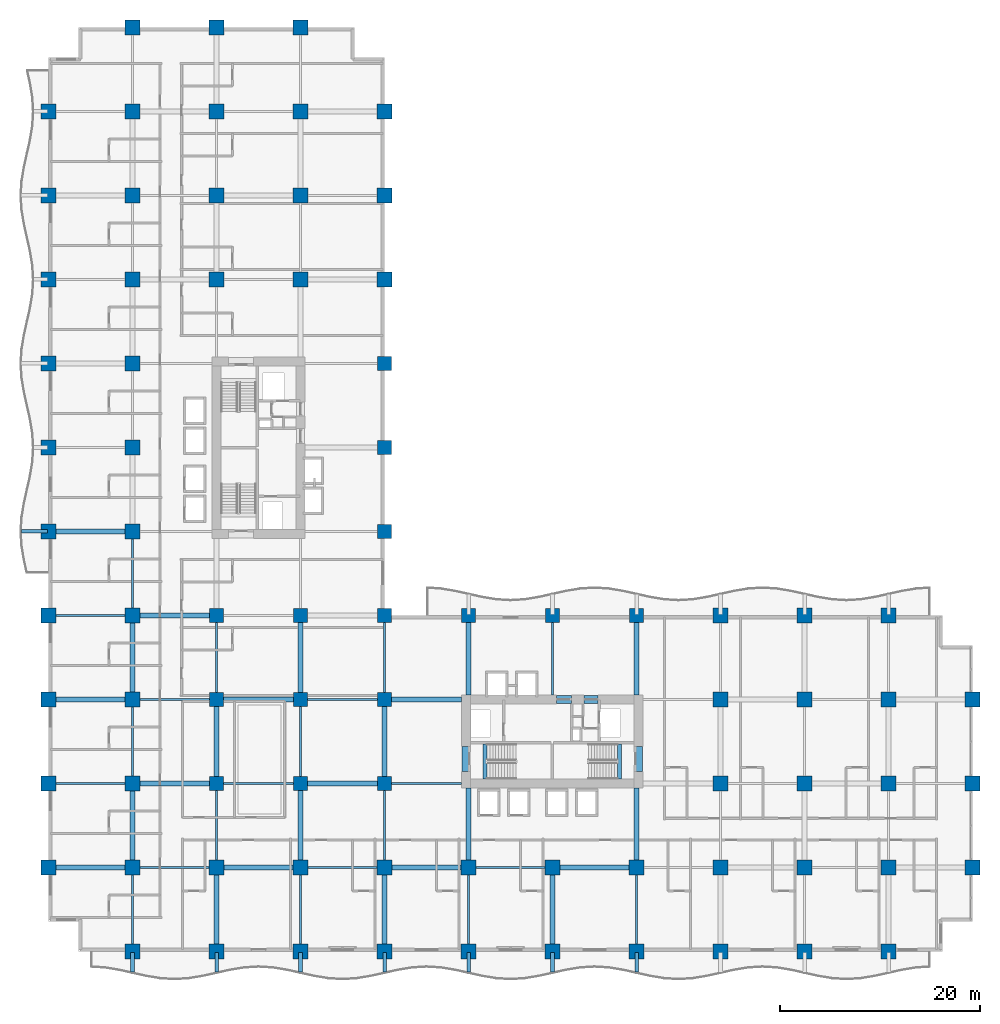
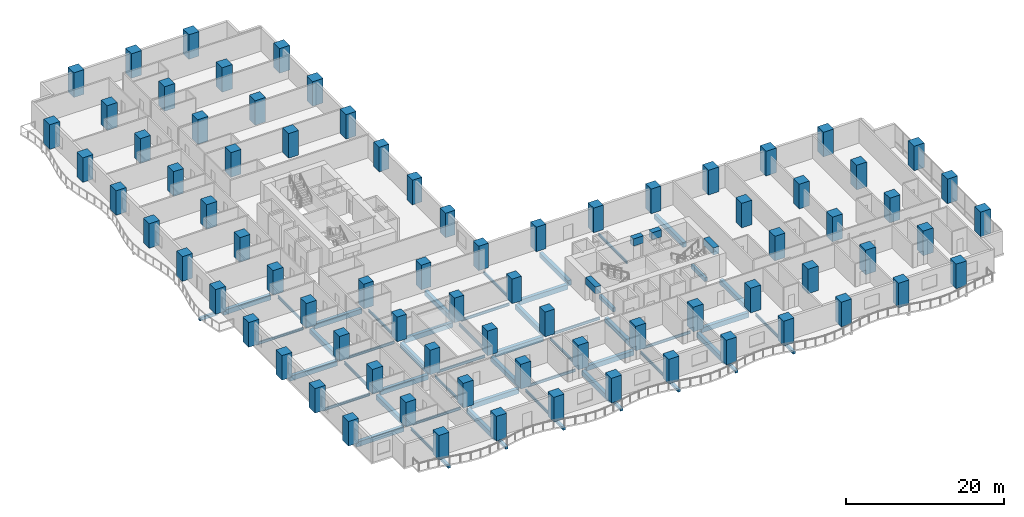
# One storey, part 1 of 26: 78 columns, 59 beams.
"""IFC4 building model written with IfcOpenShell, lengths in metres."""

from ifc_helpers import new_model, si_unit, direction, frame, origin, origin_2d, place, context, subcontext, project, spatial, rectangle, i_section, extrude, material, material_profile, profile_set, type_object, element, save


model = new_model("IFC4")

# Units and contexts
model_context = context("Model", 3, precision=1e-05, world=origin(), true_north=direction((0.0, 1.0)))
body_context = subcontext(model_context, "Body", "Model", "MODEL_VIEW")
ifc_project = project(units=[si_unit("LENGTHUNIT", "METRE"), si_unit("AREAUNIT", "SQUARE_METRE"), si_unit("VOLUMEUNIT", "CUBIC_METRE"), si_unit("PLANEANGLEUNIT", "RADIAN"), si_unit("MASSUNIT", "GRAM", prefix="KILO")], contexts=[model_context])

# Site, building, storey
site_placement = place(None, origin())
site = spatial("IfcSite", under=ifc_project, at=site_placement, CompositionType="ELEMENT")
building_placement = place(site_placement, origin())
building = spatial("IfcBuilding", under=site, at=building_placement, Name="Koriwani Terraces Tower", CompositionType="ELEMENT")
storey_placement = place(building_placement, frame((0.0, 0.0, 39.60009765625)))
storey = spatial("IfcBuildingStorey", under=building, at=storey_placement, Name="L08", CompositionType="ELEMENT", Elevation=39.60009765625)

# Columns
ifc_material_1 = material(Name="Concrete C60/75", Category="concrete")
ifc_material_profile_1 = material_profile(ifc_material_1, rectangle(XDim=1.39990234375, YDim=1.39990234375, at=origin_2d()), Name="Concrete C60/75", Category="LoadBearing")
ifc_profile_set_1 = profile_set([ifc_material_profile_1], Name="Concrete C60/75")
column_type_1 = type_object("IfcColumnType", Name="COL_RC_1400X1400", PredefinedType="COLUMN", material=ifc_profile_set_1)
for number, where, z_axis, x_axis, name in (
    (1, (16.800048828125, 16.800048828125, 0.0), (0.0, 0.0, 1.0), (1.0, 0.0, 0.0), "L08 Column 3/C"),
    (2, (16.800048828125, 25.199951171875, 0.0), (0.0, 0.0, 1.0), (1.0, 0.0, 0.0), "L08 Column 3/D"),
    (3, (16.800048828125, 33.60009765625, 0.0), (0.0, 0.0, 1.0), (1.0, 0.0, 0.0), "L08 Column 3/E"),
    (4, (25.199951171875, 16.800048828125, 0.0), (0.0, 0.0, 1.0), (1.0, 0.0, 0.0), "L08 Column 4/C"),
    (5, (25.199951171875, 25.199951171875, 0.0), (0.0, 0.0, 1.0), (1.0, 0.0, 0.0), "L08 Column 4/D"),
    (6, (25.199951171875, 33.60009765625, 0.0), (0.0, 0.0, 1.0), (1.0, 0.0, 0.0), "L08 Column 4/E"),
    (7, (33.60009765625, 16.800048828125, 0.0), (0.0, 0.0, 1.0), (1.0, 0.0, 0.0), "L08 Column 5/C"),
    (8, (33.60009765625, 25.199951171875, 0.0), (0.0, 0.0, 1.0), (1.0, 0.0, 0.0), "L08 Column 5/D"),
    (9, (33.60009765625, 33.60009765625, 0.0), (0.0, 0.0, 1.0), (1.0, 0.0, 0.0), "L08 Column 5/E"),
    (10, (33.60009765625, 42.0, 0.0), (0.0, 0.0, 1.0), (1.0, 0.0, 0.0), "L08 Column 5/F"),
    (11, (33.60009765625, 50.39990234375, 0.0), (0.0, 0.0, 1.0), (1.0, 0.0, 0.0), "L08 Column 5/G"),
    (12, (33.60009765625, 58.800048828125, 0.0), (0.0, 0.0, 1.0), (1.0, 0.0, 0.0), "L08 Column 5/H"),
    (13, (42.0, 33.60009765625, 0.0), (0.0, 0.0, 1.0), (1.0, 0.0, 0.0), "L08 Column 6/E"),
    (14, (50.39990234375, 33.60009765625, 0.0), (0.0, 0.0, 1.0), (1.0, 0.0, 0.0), "L08 Column 7/E"),
    (15, (58.800048828125, 33.60009765625, 0.0), (0.0, 0.0, 1.0), (1.0, 0.0, 0.0), "L08 Column 8/E"),
):
    element("IfcColumn", number, at=place(storey_placement, frame(where, z_axis=z_axis, x_axis=x_axis)), inside=storey, type_object=column_type_1, Name=name, PredefinedType="COLUMN", context=body_context, shape_type="SweptSolid", body=[
        extrude(rectangle(XDim=1.39990234375, YDim=1.39990234375, at=origin_2d()), origin(), (0.0, 0.0, 1.0), 3.7998046875),
    ])
ifc_material_profile_2 = material_profile(ifc_material_1, rectangle(XDim=1.5, YDim=1.5, at=origin_2d()), Name="Concrete C60/75", Category="LoadBearing")
ifc_profile_set_2 = profile_set([ifc_material_profile_2], Name="Concrete C60/75")
column_type_2 = type_object("IfcColumnType", Name="COL_RC_1500X1500", PredefinedType="COLUMN", material=ifc_profile_set_2)
for number, where, z_axis, x_axis, name in (
    (16, (0.0, 8.39990234375, 0.0), (0.0, 0.0, 1.0), (1.0, 0.0, 0.0), "L08 Column 1/B"),
    (17, (0.0, 16.800048828125, 0.0), (0.0, 0.0, 1.0), (1.0, 0.0, 0.0), "L08 Column 1/C"),
    (18, (0.0, 25.199951171875, 0.0), (0.0, 0.0, 1.0), (1.0, 0.0, 0.0), "L08 Column 1/D"),
    (19, (0.0, 33.60009765625, 0.0), (0.0, 0.0, 1.0), (1.0, 0.0, 0.0), "L08 Column 1/E"),
    (20, (0.0, 42.0, 0.0), (0.0, 0.0, 1.0), (1.0, 0.0, 0.0), "L08 Column 1/F"),
    (21, (0.0, 50.39990234375, 0.0), (0.0, 0.0, 1.0), (1.0, 0.0, 0.0), "L08 Column 1/G"),
    (22, (0.0, 58.800048828125, 0.0), (0.0, 0.0, 1.0), (1.0, 0.0, 0.0), "L08 Column 1/H"),
    (23, (0.0, 67.199951171875, 0.0), (0.0, 0.0, 1.0), (1.0, 0.0, 0.0), "L08 Column 1/I"),
    (24, (0.0, 75.60009765625, 0.0), (0.0, 0.0, 1.0), (1.0, 0.0, 0.0), "L08 Column 1/J"),
    (25, (0.0, 84.0, 0.0), (0.0, 0.0, 1.0), (1.0, 0.0, 0.0), "L08 Column 1/K"),
    (26, (8.39990234375, 0.0, 0.0), (0.0, 0.0, 1.0), (1.0, 0.0, 0.0), "L08 Column 2/A"),
    (27, (8.39990234375, 8.39990234375, 0.0), (0.0, 0.0, 1.0), (1.0, 0.0, 0.0), "L08 Column 2/B"),
    (28, (8.39990234375, 16.800048828125, 0.0), (0.0, 0.0, 1.0), (1.0, 0.0, 0.0), "L08 Column 2/C"),
    (29, (8.39990234375, 25.199951171875, 0.0), (0.0, 0.0, 1.0), (1.0, 0.0, 0.0), "L08 Column 2/D"),
    (30, (8.39990234375, 33.60009765625, 0.0), (0.0, 0.0, 1.0), (1.0, 0.0, 0.0), "L08 Column 2/E"),
    (31, (8.39990234375, 42.0, 0.0), (0.0, 0.0, 1.0), (1.0, 0.0, 0.0), "L08 Column 2/F"),
    (32, (8.39990234375, 50.39990234375, 0.0), (0.0, 0.0, 1.0), (1.0, 0.0, 0.0), "L08 Column 2/G"),
    (33, (8.39990234375, 58.800048828125, 0.0), (0.0, 0.0, 1.0), (1.0, 0.0, 0.0), "L08 Column 2/H"),
    (34, (8.39990234375, 67.199951171875, 0.0), (0.0, 0.0, 1.0), (1.0, 0.0, 0.0), "L08 Column 2/I"),
    (35, (8.39990234375, 75.60009765625, 0.0), (0.0, 0.0, 1.0), (1.0, 0.0, 0.0), "L08 Column 2/J"),
    (36, (8.39990234375, 84.0, 0.0), (0.0, 0.0, 1.0), (1.0, 0.0, 0.0), "L08 Column 2/K"),
    (37, (8.39990234375, 92.39990234375, 0.0), (0.0, 0.0, 1.0), (1.0, 0.0, 0.0), "L08 Column 2/L"),
    (38, (16.800048828125, 0.0, 0.0), (0.0, 0.0, 1.0), (1.0, 0.0, 0.0), "L08 Column 3/A"),
    (39, (16.800048828125, 8.39990234375, 0.0), (0.0, 0.0, 1.0), (1.0, 0.0, 0.0), "L08 Column 3/B"),
    (40, (16.800048828125, 67.199951171875, 0.0), (0.0, 0.0, 1.0), (1.0, 0.0, 0.0), "L08 Column 3/I"),
    (41, (16.800048828125, 75.60009765625, 0.0), (0.0, 0.0, 1.0), (1.0, 0.0, 0.0), "L08 Column 3/J"),
    (42, (16.800048828125, 84.0, 0.0), (0.0, 0.0, 1.0), (1.0, 0.0, 0.0), "L08 Column 3/K"),
    (43, (16.800048828125, 92.39990234375, 0.0), (0.0, 0.0, 1.0), (1.0, 0.0, 0.0), "L08 Column 3/L"),
    (44, (25.199951171875, 0.0, 0.0), (0.0, 0.0, 1.0), (1.0, 0.0, 0.0), "L08 Column 4/A"),
    (45, (25.199951171875, 8.39990234375, 0.0), (0.0, 0.0, 1.0), (1.0, 0.0, 0.0), "L08 Column 4/B"),
    (46, (25.199951171875, 67.199951171875, 0.0), (0.0, 0.0, 1.0), (1.0, 0.0, 0.0), "L08 Column 4/I"),
    (47, (25.199951171875, 75.60009765625, 0.0), (0.0, 0.0, 1.0), (1.0, 0.0, 0.0), "L08 Column 4/J"),
    (48, (25.199951171875, 84.0, 0.0), (0.0, 0.0, 1.0), (1.0, 0.0, 0.0), "L08 Column 4/K"),
    (49, (25.199951171875, 92.39990234375, 0.0), (0.0, 0.0, 1.0), (1.0, 0.0, 0.0), "L08 Column 4/L"),
    (50, (33.60009765625, 0.0, 0.0), (0.0, 0.0, 1.0), (1.0, 0.0, 0.0), "L08 Column 5/A"),
    (51, (33.60009765625, 8.39990234375, 0.0), (0.0, 0.0, 1.0), (1.0, 0.0, 0.0), "L08 Column 5/B"),
    (52, (33.60009765625, 67.199951171875, 0.0), (0.0, 0.0, 1.0), (1.0, 0.0, 0.0), "L08 Column 5/I"),
    (53, (33.60009765625, 75.60009765625, 0.0), (0.0, 0.0, 1.0), (1.0, 0.0, 0.0), "L08 Column 5/J"),
    (54, (33.60009765625, 84.0, 0.0), (0.0, 0.0, 1.0), (1.0, 0.0, 0.0), "L08 Column 5/K"),
    (55, (42.0, 0.0, 0.0), (0.0, 0.0, 1.0), (1.0, 0.0, 0.0), "L08 Column 6/A"),
    (56, (42.0, 8.39990234375, 0.0), (0.0, 0.0, 1.0), (1.0, 0.0, 0.0), "L08 Column 6/B"),
    (57, (50.39990234375, 0.0, 0.0), (0.0, 0.0, 1.0), (1.0, 0.0, 0.0), "L08 Column 7/A"),
    (58, (50.39990234375, 8.39990234375, 0.0), (0.0, 0.0, 1.0), (1.0, 0.0, 0.0), "L08 Column 7/B"),
    (59, (58.800048828125, 0.0, 0.0), (0.0, 0.0, 1.0), (1.0, 0.0, 0.0), "L08 Column 8/A"),
    (60, (58.800048828125, 8.39990234375, 0.0), (0.0, 0.0, 1.0), (1.0, 0.0, 0.0), "L08 Column 8/B"),
    (61, (67.199951171875, 0.0, 0.0), (0.0, 0.0, 1.0), (1.0, 0.0, 0.0), "L08 Column 9/A"),
    (62, (67.199951171875, 8.39990234375, 0.0), (0.0, 0.0, 1.0), (1.0, 0.0, 0.0), "L08 Column 9/B"),
    (63, (67.199951171875, 16.800048828125, 0.0), (0.0, 0.0, 1.0), (1.0, 0.0, 0.0), "L08 Column 9/C"),
    (64, (67.199951171875, 25.199951171875, 0.0), (0.0, 0.0, 1.0), (1.0, 0.0, 0.0), "L08 Column 9/D"),
    (65, (67.199951171875, 33.60009765625, 0.0), (0.0, 0.0, 1.0), (1.0, 0.0, 0.0), "L08 Column 9/E"),
    (66, (75.60009765625, 0.0, 0.0), (0.0, 0.0, 1.0), (1.0, 0.0, 0.0), "L08 Column 10/A"),
    (67, (75.60009765625, 8.39990234375, 0.0), (0.0, 0.0, 1.0), (1.0, 0.0, 0.0), "L08 Column 10/B"),
    (68, (75.60009765625, 16.800048828125, 0.0), (0.0, 0.0, 1.0), (1.0, 0.0, 0.0), "L08 Column 10/C"),
    (69, (75.60009765625, 25.199951171875, 0.0), (0.0, 0.0, 1.0), (1.0, 0.0, 0.0), "L08 Column 10/D"),
    (70, (75.60009765625, 33.60009765625, 0.0), (0.0, 0.0, 1.0), (1.0, 0.0, 0.0), "L08 Column 10/E"),
    (71, (84.0, 0.0, 0.0), (0.0, 0.0, 1.0), (1.0, 0.0, 0.0), "L08 Column 11/A"),
    (72, (84.0, 8.39990234375, 0.0), (0.0, 0.0, 1.0), (1.0, 0.0, 0.0), "L08 Column 11/B"),
    (73, (84.0, 16.800048828125, 0.0), (0.0, 0.0, 1.0), (1.0, 0.0, 0.0), "L08 Column 11/C"),
    (74, (84.0, 25.199951171875, 0.0), (0.0, 0.0, 1.0), (1.0, 0.0, 0.0), "L08 Column 11/D"),
    (75, (84.0, 33.60009765625, 0.0), (0.0, 0.0, 1.0), (1.0, 0.0, 0.0), "L08 Column 11/E"),
    (76, (92.39990234375, 8.39990234375, 0.0), (0.0, 0.0, 1.0), (1.0, 0.0, 0.0), "L08 Column 12/B"),
    (77, (92.39990234375, 16.800048828125, 0.0), (0.0, 0.0, 1.0), (1.0, 0.0, 0.0), "L08 Column 12/C"),
    (78, (92.39990234375, 25.199951171875, 0.0), (0.0, 0.0, 1.0), (1.0, 0.0, 0.0), "L08 Column 12/D"),
):
    element("IfcColumn", number, at=place(storey_placement, frame(where, z_axis=z_axis, x_axis=x_axis)), inside=storey, type_object=column_type_2, Name=name, PredefinedType="COLUMN", context=body_context, shape_type="SweptSolid", body=[
        extrude(rectangle(XDim=1.5, YDim=1.5, at=origin_2d()), origin(), (0.0, 0.0, 1.0), 3.7998046875),
    ])

# Beams
ifc_material_2 = material(Name="Concrete C40/50", Category="concrete")
ifc_material_profile_3 = material_profile(ifc_material_2, rectangle(XDim=0.35009765625, YDim=0.449951171875, at=origin_2d()), Name="Concrete C40/50", Category="LoadBearing")
ifc_profile_set_3 = profile_set([ifc_material_profile_3], Name="Concrete C40/50")
beam_type_1 = type_object("IfcBeamType", Name="BEAM_RC_BALCONY_RIB_350X450", PredefinedType="JOIST", material=ifc_profile_set_3)
for number, where, z_axis, x_axis, name in (
    (79, (8.39990234375, -2.074951171875, -0.47509765625), (0.0, 1.0, 0.0), (-1.0, 0.0, 0.0), "L08 Balcony Bracket Rib S-1"),
    (80, (16.800048828125, -2.074951171875, -0.47509765625), (0.0, 1.0, 0.0), (-1.0, 0.0, 0.0), "L08 Balcony Bracket Rib S-2"),
    (81, (25.199951171875, -2.074951171875, -0.47509765625), (0.0, 1.0, 0.0), (-1.0, 0.0, 0.0), "L08 Balcony Bracket Rib S-3"),
    (82, (33.60009765625, -2.074951171875, -0.47509765625), (0.0, 1.0, 0.0), (-1.0, 0.0, 0.0), "L08 Balcony Bracket Rib S-4"),
    (83, (42.0, -2.074951171875, -0.47509765625), (0.0, 1.0, 0.0), (-1.0, 0.0, 0.0), "L08 Balcony Bracket Rib S-5"),
    (84, (50.39990234375, -2.074951171875, -0.47509765625), (0.0, 1.0, 0.0), (-1.0, 0.0, 0.0), "L08 Balcony Bracket Rib S-6"),
    (85, (58.800048828125, -2.074951171875, -0.47509765625), (0.0, 1.0, 0.0), (-1.0, 0.0, 0.0), "L08 Balcony Bracket Rib S-7"),
):
    element("IfcBeam", number, at=place(storey_placement, frame(where, z_axis=z_axis, x_axis=x_axis)), inside=storey, type_object=beam_type_1, Name=name, PredefinedType="JOIST", context=body_context, shape_type="SweptSolid", body=[
        extrude(rectangle(XDim=0.35009765625, YDim=0.449951171875, at=origin_2d()), origin(), (0.0, 0.0, 1.0), 1.974853515625),
    ])
beam_1_placement = place(storey_placement, frame((-2.699951171875, 42.0, -0.47509765625), z_axis=(1.0, 0.0, 0.0), x_axis=(0.0, 1.0, 0.0)))
element("IfcBeam", 86, at=beam_1_placement, inside=storey, type_object=beam_type_1, Name="L08 Balcony Bracket Rib W-1", PredefinedType="JOIST", context=body_context, shape_type="SweptSolid", body=[
    extrude(rectangle(XDim=0.35009765625, YDim=0.449951171875, at=origin_2d()), origin(), (0.0, 0.0, 1.0), 2.599853515625),
])
ifc_material_profile_4 = material_profile(ifc_material_1, rectangle(XDim=0.800048828125, YDim=1.10009765625, at=origin_2d()), Name="Concrete C60/75", Category="LoadBearing")
ifc_profile_set_4 = profile_set([ifc_material_profile_4], Name="Concrete C60/75")
beam_type_2 = type_object("IfcBeamType", Name="BEAM_RC_COUPLING_800X1100", PredefinedType="LINTEL", material=ifc_profile_set_4)
beam_2_placement = place(storey_placement, frame((50.800048828125, 25.199951171875, 3.0), z_axis=(1.0, 0.0, 0.0), x_axis=(0.0, 1.0, 0.0)))
element("IfcBeam", 87, at=beam_2_placement, inside=storey, type_object=beam_type_2, Name="L08 Core Coupling Lintel Beam EN1", PredefinedType="LINTEL", context=body_context, shape_type="SweptSolid", body=[
    extrude(rectangle(XDim=0.800048828125, YDim=1.10009765625, at=origin_2d()), origin(), (0.0, 0.0, 1.0), 1.47998046875),
])
beam_3_placement = place(storey_placement, frame((53.550048828125, 25.199951171875, 3.0), z_axis=(1.0, 0.0, 0.0), x_axis=(0.0, 1.0, 0.0)))
element("IfcBeam", 88, at=beam_3_placement, inside=storey, type_object=beam_type_2, Name="L08 Core Coupling Lintel Beam EN2", PredefinedType="LINTEL", context=body_context, shape_type="SweptSolid", body=[
    extrude(rectangle(XDim=0.800048828125, YDim=1.10009765625, at=origin_2d()), origin(), (0.0, 0.0, 1.0), 1.39990234375),
])
for number, where, z_axis, x_axis, name in (
    (89, (41.75, 18.0, 3.0), (0.0, 1.0, 0.0), (-1.0, 0.0, 0.0), "L08 Core Coupling Lintel Beam EW"),
    (90, (59.0, 18.0, 3.0), (0.0, 1.0, 0.0), (-1.0, 0.0, 0.0), "L08 Core Coupling Lintel Beam EE"),
):
    element("IfcBeam", number, at=place(storey_placement, frame(where, z_axis=z_axis, x_axis=x_axis)), inside=storey, type_object=beam_type_2, Name=name, PredefinedType="LINTEL", context=body_context, shape_type="SweptSolid", body=[
        extrude(rectangle(XDim=0.800048828125, YDim=1.10009765625, at=origin_2d()), origin(), (0.0, 0.0, 1.0), 2.5),
    ])
ifc_material_profile_5 = material_profile(ifc_material_2, rectangle(XDim=0.39990234375, YDim=0.60009765625, at=origin_2d()), Name="Concrete C40/50", Category="LoadBearing")
ifc_profile_set_5 = profile_set([ifc_material_profile_5], Name="Concrete C40/50")
beam_type_3 = type_object("IfcBeamType", Name="BEAM_RC_GRID_400X600", PredefinedType="BEAM", material=ifc_profile_set_5)
for number, where, z_axis, x_axis, name in (
    (91, (43.655029296875, 17.25, -0.300048828125), (0.0, 1.0, 0.0), (-1.0, 0.0, 0.0), "L08 Stairwell Header Trimmer Beam ST-E1"),
    (92, (57.094970703125, 17.25, -0.300048828125), (0.0, 1.0, 0.0), (-1.0, 0.0, 0.0), "L08 Stairwell Header Trimmer Beam ST-E2"),
):
    element("IfcBeam", number, at=place(storey_placement, frame(where, z_axis=z_axis, x_axis=x_axis)), inside=storey, type_object=beam_type_3, Name=name, PredefinedType="BEAM", context=body_context, shape_type="SweptSolid", body=[
        extrude(rectangle(XDim=0.39990234375, YDim=0.60009765625, at=origin_2d()), origin(), (0.0, 0.0, 1.0), 3.5),
    ])
ifc_material_3 = material(Name="Concrete C50/60", Category="concrete")
ifc_material_profile_6 = material_profile(ifc_material_3, rectangle(XDim=0.5, YDim=0.75, at=origin_2d()), Name="Concrete C50/60", Category="LoadBearing")
ifc_profile_set_6 = profile_set([ifc_material_profile_6], Name="Concrete C50/60")
beam_type_4 = type_object("IfcBeamType", Name="BEAM_RC_GRID_500X750", PredefinedType="BEAM", material=ifc_profile_set_6)
for number, where, z_axis, x_axis, name in (
    (93, (0.72998046875, 8.39990234375, -0.625), (1.0, 0.0, 0.0), (0.0, 1.0, 0.0), "L08 Grid Beam B (0.0-8.4m)"),
    (94, (17.530029296875, 8.39990234375, -0.625), (1.0, 0.0, 0.0), (0.0, 1.0, 0.0), "L08 Grid Beam B (16.8-25.2m)"),
    (95, (34.330078125, 8.39990234375, -0.625), (1.0, 0.0, 0.0), (0.0, 1.0, 0.0), "L08 Grid Beam B (33.6-42.0m)"),
):
    element("IfcBeam", number, at=place(storey_placement, frame(where, z_axis=z_axis, x_axis=x_axis)), inside=storey, type_object=beam_type_4, Name=name, PredefinedType="BEAM", context=body_context, shape_type="SweptSolid", body=[
        extrude(rectangle(XDim=0.5, YDim=0.75, at=origin_2d()), origin(), (0.0, 0.0, 1.0), 6.93994140625),
    ])
beam_4_placement = place(storey_placement, frame((51.1298828125, 8.39990234375, -0.625), z_axis=(1.0, 0.0, 0.0), x_axis=(0.0, 1.0, 0.0)))
element("IfcBeam", 96, at=beam_4_placement, inside=storey, type_object=beam_type_4, Name="L08 Grid Beam B (50.4-58.8m)", PredefinedType="BEAM", context=body_context, shape_type="SweptSolid", body=[
    extrude(rectangle(XDim=0.5, YDim=0.75, at=origin_2d()), origin(), (0.0, 0.0, 1.0), 6.940185546875),
])
beam_5_placement = place(storey_placement, frame((9.1298828125, 16.800048828125, -0.625), z_axis=(1.0, 0.0, 0.0), x_axis=(0.0, 1.0, 0.0)))
element("IfcBeam", 97, at=beam_5_placement, inside=storey, type_object=beam_type_4, Name="L08 Grid Beam C (8.4-16.8m)", PredefinedType="BEAM", context=body_context, shape_type="SweptSolid", body=[
    extrude(rectangle(XDim=0.5, YDim=0.75, at=origin_2d()), origin(), (0.0, 0.0, 1.0), 6.990234375),
])
beam_6_placement = place(storey_placement, frame((25.8798828125, 16.800048828125, -0.625), z_axis=(1.0, 0.0, 0.0), x_axis=(0.0, 1.0, 0.0)))
element("IfcBeam", 98, at=beam_6_placement, inside=storey, type_object=beam_type_4, Name="L08 Grid Beam C (25.2-33.6m)", PredefinedType="BEAM", context=body_context, shape_type="SweptSolid", body=[
    extrude(rectangle(XDim=0.5, YDim=0.75, at=origin_2d()), origin(), (0.0, 0.0, 1.0), 7.0400390625),
])
beam_7_placement = place(storey_placement, frame((0.72998046875, 25.199951171875, -0.625), z_axis=(1.0, 0.0, 0.0), x_axis=(0.0, 1.0, 0.0)))
element("IfcBeam", 99, at=beam_7_placement, inside=storey, type_object=beam_type_4, Name="L08 Grid Beam D (0.0-8.4m)", PredefinedType="BEAM", context=body_context, shape_type="SweptSolid", body=[
    extrude(rectangle(XDim=0.5, YDim=0.75, at=origin_2d()), origin(), (0.0, 0.0, 1.0), 6.93994140625),
])
for number, where, z_axis, x_axis, name in (
    (100, (17.47998046875, 25.199951171875, -0.625), (1.0, 0.0, 0.0), (0.0, 1.0, 0.0), "L08 Grid Beam D (16.8-25.2m)"),
    (101, (34.280029296875, 25.199951171875, -0.625), (1.0, 0.0, 0.0), (0.0, 1.0, 0.0), "L08 Grid Beam D (33.6-42.0m)"),
):
    element("IfcBeam", number, at=place(storey_placement, frame(where, z_axis=z_axis, x_axis=x_axis)), inside=storey, type_object=beam_type_4, Name=name, PredefinedType="BEAM", context=body_context, shape_type="SweptSolid", body=[
        extrude(rectangle(XDim=0.5, YDim=0.75, at=origin_2d()), origin(), (0.0, 0.0, 1.0), 7.0400390625),
    ])
beam_8_placement = place(storey_placement, frame((9.1298828125, 33.60009765625, -0.625), z_axis=(1.0, 0.0, 0.0), x_axis=(0.0, 1.0, 0.0)))
element("IfcBeam", 102, at=beam_8_placement, inside=storey, type_object=beam_type_4, Name="L08 Grid Beam E (8.4-16.8m)", PredefinedType="BEAM", context=body_context, shape_type="SweptSolid", body=[
    extrude(rectangle(XDim=0.5, YDim=0.75, at=origin_2d()), origin(), (0.0, 0.0, 1.0), 6.990234375),
])
beam_9_placement = place(storey_placement, frame((0.72998046875, 42.0, -0.625), z_axis=(1.0, 0.0, 0.0), x_axis=(0.0, 1.0, 0.0)))
element("IfcBeam", 103, at=beam_9_placement, inside=storey, type_object=beam_type_4, Name="L08 Grid Beam F (0.0-8.4m)", PredefinedType="BEAM", context=body_context, shape_type="SweptSolid", body=[
    extrude(rectangle(XDim=0.5, YDim=0.75, at=origin_2d()), origin(), (0.0, 0.0, 1.0), 6.93994140625),
])
for number, where, z_axis, x_axis, name in (
    (104, (8.39990234375, 9.1298828125, -0.625), (0.0, 1.0, 0.0), (-1.0, 0.0, 0.0), "L08 Grid Beam 2 (8.4-16.8m)"),
    (105, (8.39990234375, 25.929931640625, -0.625), (0.0, 1.0, 0.0), (-1.0, 0.0, 0.0), "L08 Grid Beam 2 (25.2-33.6m)"),
):
    element("IfcBeam", number, at=place(storey_placement, frame(where, z_axis=z_axis, x_axis=x_axis)), inside=storey, type_object=beam_type_4, Name=name, PredefinedType="BEAM", context=body_context, shape_type="SweptSolid", body=[
        extrude(rectangle(XDim=0.5, YDim=0.75, at=origin_2d()), origin(), (0.0, 0.0, 1.0), 6.940185546875),
    ])
beam_10_placement = place(storey_placement, frame((16.800048828125, 0.72998046875, -0.625), z_axis=(0.0, 1.0, 0.0), x_axis=(-1.0, 0.0, 0.0)))
element("IfcBeam", 106, at=beam_10_placement, inside=storey, type_object=beam_type_4, Name="L08 Grid Beam 3 (0.0-8.4m)", PredefinedType="BEAM", context=body_context, shape_type="SweptSolid", body=[
    extrude(rectangle(XDim=0.5, YDim=0.75, at=origin_2d()), origin(), (0.0, 0.0, 1.0), 6.93994140625),
])
beam_11_placement = place(storey_placement, frame((16.800048828125, 17.47998046875, -0.625), z_axis=(0.0, 1.0, 0.0), x_axis=(-1.0, 0.0, 0.0)))
element("IfcBeam", 107, at=beam_11_placement, inside=storey, type_object=beam_type_4, Name="L08 Grid Beam 3 (16.8-25.2m)", PredefinedType="BEAM", context=body_context, shape_type="SweptSolid", body=[
    extrude(rectangle(XDim=0.5, YDim=0.75, at=origin_2d()), origin(), (0.0, 0.0, 1.0), 7.0400390625),
])
beam_12_placement = place(storey_placement, frame((25.199951171875, 9.1298828125, -0.625), z_axis=(0.0, 1.0, 0.0), x_axis=(-1.0, 0.0, 0.0)))
element("IfcBeam", 108, at=beam_12_placement, inside=storey, type_object=beam_type_4, Name="L08 Grid Beam 4 (8.4-16.8m)", PredefinedType="BEAM", context=body_context, shape_type="SweptSolid", body=[
    extrude(rectangle(XDim=0.5, YDim=0.75, at=origin_2d()), origin(), (0.0, 0.0, 1.0), 6.990234375),
])
beam_13_placement = place(storey_placement, frame((25.199951171875, 25.8798828125, -0.625), z_axis=(0.0, 1.0, 0.0), x_axis=(-1.0, 0.0, 0.0)))
element("IfcBeam", 109, at=beam_13_placement, inside=storey, type_object=beam_type_4, Name="L08 Grid Beam 4 (25.2-33.6m)", PredefinedType="BEAM", context=body_context, shape_type="SweptSolid", body=[
    extrude(rectangle(XDim=0.5, YDim=0.75, at=origin_2d()), origin(), (0.0, 0.0, 1.0), 7.0400390625),
])
beam_14_placement = place(storey_placement, frame((33.60009765625, 0.72998046875, -0.625), z_axis=(0.0, 1.0, 0.0), x_axis=(-1.0, 0.0, 0.0)))
element("IfcBeam", 110, at=beam_14_placement, inside=storey, type_object=beam_type_4, Name="L08 Grid Beam 5 (0.0-8.4m)", PredefinedType="BEAM", context=body_context, shape_type="SweptSolid", body=[
    extrude(rectangle(XDim=0.5, YDim=0.75, at=origin_2d()), origin(), (0.0, 0.0, 1.0), 6.93994140625),
])
beam_15_placement = place(storey_placement, frame((33.60009765625, 17.47998046875, -0.625), z_axis=(0.0, 1.0, 0.0), x_axis=(-1.0, 0.0, 0.0)))
element("IfcBeam", 111, at=beam_15_placement, inside=storey, type_object=beam_type_4, Name="L08 Grid Beam 5 (16.8-25.2m)", PredefinedType="BEAM", context=body_context, shape_type="SweptSolid", body=[
    extrude(rectangle(XDim=0.5, YDim=0.75, at=origin_2d()), origin(), (0.0, 0.0, 1.0), 7.0400390625),
])
beam_16_placement = place(storey_placement, frame((42.0, 9.1298828125, -0.625), z_axis=(0.0, 1.0, 0.0), x_axis=(-1.0, 0.0, 0.0)))
element("IfcBeam", 112, at=beam_16_placement, inside=storey, type_object=beam_type_4, Name="L08 Grid Beam 6 (8.4-16.8m)", PredefinedType="BEAM", context=body_context, shape_type="SweptSolid", body=[
    extrude(rectangle(XDim=0.5, YDim=0.75, at=origin_2d()), origin(), (0.0, 0.0, 1.0), 7.240234375),
])
beam_17_placement = place(storey_placement, frame((42.0, 25.6298828125, -0.625), z_axis=(0.0, 1.0, 0.0), x_axis=(-1.0, 0.0, 0.0)))
element("IfcBeam", 113, at=beam_17_placement, inside=storey, type_object=beam_type_4, Name="L08 Grid Beam 6 (25.2-33.6m)", PredefinedType="BEAM", context=body_context, shape_type="SweptSolid", body=[
    extrude(rectangle(XDim=0.5, YDim=0.75, at=origin_2d()), origin(), (0.0, 0.0, 1.0), 7.2900390625),
])
beam_18_placement = place(storey_placement, frame((50.39990234375, 0.72998046875, -0.625), z_axis=(0.0, 1.0, 0.0), x_axis=(-1.0, 0.0, 0.0)))
element("IfcBeam", 114, at=beam_18_placement, inside=storey, type_object=beam_type_4, Name="L08 Grid Beam 7 (0.0-8.4m)", PredefinedType="BEAM", context=body_context, shape_type="SweptSolid", body=[
    extrude(rectangle(XDim=0.5, YDim=0.75, at=origin_2d()), origin(), (0.0, 0.0, 1.0), 6.93994140625),
])
beam_19_placement = place(storey_placement, frame((58.800048828125, 9.1298828125, -0.625), z_axis=(0.0, 1.0, 0.0), x_axis=(-1.0, 0.0, 0.0)))
element("IfcBeam", 115, at=beam_19_placement, inside=storey, type_object=beam_type_4, Name="L08 Grid Beam 8 (8.4-16.8m)", PredefinedType="BEAM", context=body_context, shape_type="SweptSolid", body=[
    extrude(rectangle(XDim=0.5, YDim=0.75, at=origin_2d()), origin(), (0.0, 0.0, 1.0), 7.240234375),
])
beam_20_placement = place(storey_placement, frame((58.800048828125, 25.6298828125, -0.625), z_axis=(0.0, 1.0, 0.0), x_axis=(-1.0, 0.0, 0.0)))
element("IfcBeam", 116, at=beam_20_placement, inside=storey, type_object=beam_type_4, Name="L08 Grid Beam 8 (25.2-33.6m)", PredefinedType="BEAM", context=body_context, shape_type="SweptSolid", body=[
    extrude(rectangle(XDim=0.5, YDim=0.75, at=origin_2d()), origin(), (0.0, 0.0, 1.0), 7.2900390625),
])
ifc_material_4 = material(Name="Steel ASTM A572 Grade 50", Category="steel")
ifc_material_profile_7 = material_profile(ifc_material_4, i_section(OverallWidth=0.180908203125, OverallDepth=0.4169921875, WebThickness=0.010986328125, FlangeThickness=0.018310546875, at=origin_2d()), Name="Steel ASTM A572 Grade 50", Category="LoadBearing")
ifc_profile_set_7 = profile_set([ifc_material_profile_7], Name="Steel ASTM A572 Grade 50")
beam_type_5 = type_object("IfcBeamType", Name="STEEL_BEAM_W410X85", PredefinedType="JOIST", material=ifc_profile_set_7)
for number, where, z_axis, x_axis, name in (
    (117, (9.1298828125, 8.39990234375, -0.45849609375), (1.0, 0.0, 0.0), (0.0, 1.0, 0.0), "L08 Grid Beam B (8.4-16.8m)"),
    (118, (25.929931640625, 8.39990234375, -0.45849609375), (1.0, 0.0, 0.0), (0.0, 1.0, 0.0), "L08 Grid Beam B (25.2-33.6m)"),
):
    element("IfcBeam", number, at=place(storey_placement, frame(where, z_axis=z_axis, x_axis=x_axis)), inside=storey, type_object=beam_type_5, Name=name, PredefinedType="JOIST", context=body_context, shape_type="SweptSolid", body=[
        extrude(i_section(OverallWidth=0.180908203125, OverallDepth=0.4169921875, WebThickness=0.010986328125, FlangeThickness=0.018310546875, at=origin_2d()), origin(), (0.0, 0.0, 1.0), 6.940185546875),
    ])
for number, where, z_axis, x_axis, name in (
    (119, (42.72998046875, 8.39990234375, -0.45849609375), (1.0, 0.0, 0.0), (0.0, 1.0, 0.0), "L08 Grid Beam B (42.0-50.4m)"),
    (120, (0.72998046875, 16.800048828125, -0.45849609375), (1.0, 0.0, 0.0), (0.0, 1.0, 0.0), "L08 Grid Beam C (0.0-8.4m)"),
):
    element("IfcBeam", number, at=place(storey_placement, frame(where, z_axis=z_axis, x_axis=x_axis)), inside=storey, type_object=beam_type_5, Name=name, PredefinedType="JOIST", context=body_context, shape_type="SweptSolid", body=[
        extrude(i_section(OverallWidth=0.180908203125, OverallDepth=0.4169921875, WebThickness=0.010986328125, FlangeThickness=0.018310546875, at=origin_2d()), origin(), (0.0, 0.0, 1.0), 6.93994140625),
    ])
for number, where, z_axis, x_axis, name in (
    (121, (17.47998046875, 16.800048828125, -0.45849609375), (1.0, 0.0, 0.0), (0.0, 1.0, 0.0), "L08 Grid Beam C (16.8-25.2m)"),
    (122, (34.280029296875, 16.800048828125, -0.45849609375), (1.0, 0.0, 0.0), (0.0, 1.0, 0.0), "L08 Grid Beam C (33.6-42.0m)"),
):
    element("IfcBeam", number, at=place(storey_placement, frame(where, z_axis=z_axis, x_axis=x_axis)), inside=storey, type_object=beam_type_5, Name=name, PredefinedType="JOIST", context=body_context, shape_type="SweptSolid", body=[
        extrude(i_section(OverallWidth=0.180908203125, OverallDepth=0.4169921875, WebThickness=0.010986328125, FlangeThickness=0.018310546875, at=origin_2d()), origin(), (0.0, 0.0, 1.0), 7.0400390625),
    ])
beam_21_placement = place(storey_placement, frame((9.1298828125, 25.199951171875, -0.45849609375), z_axis=(1.0, 0.0, 0.0), x_axis=(0.0, 1.0, 0.0)))
element("IfcBeam", 123, at=beam_21_placement, inside=storey, type_object=beam_type_5, Name="L08 Grid Beam D (8.4-16.8m)", PredefinedType="JOIST", context=body_context, shape_type="SweptSolid", body=[
    extrude(i_section(OverallWidth=0.180908203125, OverallDepth=0.4169921875, WebThickness=0.010986328125, FlangeThickness=0.018310546875, at=origin_2d()), origin(), (0.0, 0.0, 1.0), 6.990234375),
])
beam_22_placement = place(storey_placement, frame((25.8798828125, 25.199951171875, -0.45849609375), z_axis=(1.0, 0.0, 0.0), x_axis=(0.0, 1.0, 0.0)))
element("IfcBeam", 124, at=beam_22_placement, inside=storey, type_object=beam_type_5, Name="L08 Grid Beam D (25.2-33.6m)", PredefinedType="JOIST", context=body_context, shape_type="SweptSolid", body=[
    extrude(i_section(OverallWidth=0.180908203125, OverallDepth=0.4169921875, WebThickness=0.010986328125, FlangeThickness=0.018310546875, at=origin_2d()), origin(), (0.0, 0.0, 1.0), 7.0400390625),
])
for number, where, z_axis, x_axis, name in (
    (125, (0.72998046875, 33.60009765625, -0.45849609375), (1.0, 0.0, 0.0), (0.0, 1.0, 0.0), "L08 Grid Beam E (0.0-8.4m)"),
    (126, (8.39990234375, 0.72998046875, -0.45849609375), (0.0, 1.0, 0.0), (-1.0, 0.0, 0.0), "L08 Grid Beam 2 (0.0-8.4m)"),
    (127, (8.39990234375, 17.530029296875, -0.45849609375), (0.0, 1.0, 0.0), (-1.0, 0.0, 0.0), "L08 Grid Beam 2 (16.8-25.2m)"),
    (128, (8.39990234375, 34.330078125, -0.45849609375), (0.0, 1.0, 0.0), (-1.0, 0.0, 0.0), "L08 Grid Beam 2 (33.6-42.0m)"),
):
    element("IfcBeam", number, at=place(storey_placement, frame(where, z_axis=z_axis, x_axis=x_axis)), inside=storey, type_object=beam_type_5, Name=name, PredefinedType="JOIST", context=body_context, shape_type="SweptSolid", body=[
        extrude(i_section(OverallWidth=0.180908203125, OverallDepth=0.4169921875, WebThickness=0.010986328125, FlangeThickness=0.018310546875, at=origin_2d()), origin(), (0.0, 0.0, 1.0), 6.93994140625),
    ])
beam_23_placement = place(storey_placement, frame((16.800048828125, 9.1298828125, -0.45849609375), z_axis=(0.0, 1.0, 0.0), x_axis=(-1.0, 0.0, 0.0)))
element("IfcBeam", 129, at=beam_23_placement, inside=storey, type_object=beam_type_5, Name="L08 Grid Beam 3 (8.4-16.8m)", PredefinedType="JOIST", context=body_context, shape_type="SweptSolid", body=[
    extrude(i_section(OverallWidth=0.180908203125, OverallDepth=0.4169921875, WebThickness=0.010986328125, FlangeThickness=0.018310546875, at=origin_2d()), origin(), (0.0, 0.0, 1.0), 6.990234375),
])
beam_24_placement = place(storey_placement, frame((16.800048828125, 25.8798828125, -0.45849609375), z_axis=(0.0, 1.0, 0.0), x_axis=(-1.0, 0.0, 0.0)))
element("IfcBeam", 130, at=beam_24_placement, inside=storey, type_object=beam_type_5, Name="L08 Grid Beam 3 (25.2-33.6m)", PredefinedType="JOIST", context=body_context, shape_type="SweptSolid", body=[
    extrude(i_section(OverallWidth=0.180908203125, OverallDepth=0.4169921875, WebThickness=0.010986328125, FlangeThickness=0.018310546875, at=origin_2d()), origin(), (0.0, 0.0, 1.0), 7.0400390625),
])
beam_25_placement = place(storey_placement, frame((25.199951171875, 0.72998046875, -0.45849609375), z_axis=(0.0, 1.0, 0.0), x_axis=(-1.0, 0.0, 0.0)))
element("IfcBeam", 131, at=beam_25_placement, inside=storey, type_object=beam_type_5, Name="L08 Grid Beam 4 (0.0-8.4m)", PredefinedType="JOIST", context=body_context, shape_type="SweptSolid", body=[
    extrude(i_section(OverallWidth=0.180908203125, OverallDepth=0.4169921875, WebThickness=0.010986328125, FlangeThickness=0.018310546875, at=origin_2d()), origin(), (0.0, 0.0, 1.0), 6.93994140625),
])
beam_26_placement = place(storey_placement, frame((25.199951171875, 17.47998046875, -0.45849609375), z_axis=(0.0, 1.0, 0.0), x_axis=(-1.0, 0.0, 0.0)))
element("IfcBeam", 132, at=beam_26_placement, inside=storey, type_object=beam_type_5, Name="L08 Grid Beam 4 (16.8-25.2m)", PredefinedType="JOIST", context=body_context, shape_type="SweptSolid", body=[
    extrude(i_section(OverallWidth=0.180908203125, OverallDepth=0.4169921875, WebThickness=0.010986328125, FlangeThickness=0.018310546875, at=origin_2d()), origin(), (0.0, 0.0, 1.0), 7.0400390625),
])
beam_27_placement = place(storey_placement, frame((33.60009765625, 9.1298828125, -0.45849609375), z_axis=(0.0, 1.0, 0.0), x_axis=(-1.0, 0.0, 0.0)))
element("IfcBeam", 133, at=beam_27_placement, inside=storey, type_object=beam_type_5, Name="L08 Grid Beam 5 (8.4-16.8m)", PredefinedType="JOIST", context=body_context, shape_type="SweptSolid", body=[
    extrude(i_section(OverallWidth=0.180908203125, OverallDepth=0.4169921875, WebThickness=0.010986328125, FlangeThickness=0.018310546875, at=origin_2d()), origin(), (0.0, 0.0, 1.0), 6.990234375),
])
beam_28_placement = place(storey_placement, frame((33.60009765625, 25.8798828125, -0.45849609375), z_axis=(0.0, 1.0, 0.0), x_axis=(-1.0, 0.0, 0.0)))
element("IfcBeam", 134, at=beam_28_placement, inside=storey, type_object=beam_type_5, Name="L08 Grid Beam 5 (25.2-33.6m)", PredefinedType="JOIST", context=body_context, shape_type="SweptSolid", body=[
    extrude(i_section(OverallWidth=0.180908203125, OverallDepth=0.4169921875, WebThickness=0.010986328125, FlangeThickness=0.018310546875, at=origin_2d()), origin(), (0.0, 0.0, 1.0), 7.0400390625),
])
beam_29_placement = place(storey_placement, frame((42.0, 0.72998046875, -0.45849609375), z_axis=(0.0, 1.0, 0.0), x_axis=(-1.0, 0.0, 0.0)))
element("IfcBeam", 135, at=beam_29_placement, inside=storey, type_object=beam_type_5, Name="L08 Grid Beam 6 (0.0-8.4m)", PredefinedType="JOIST", context=body_context, shape_type="SweptSolid", body=[
    extrude(i_section(OverallWidth=0.180908203125, OverallDepth=0.4169921875, WebThickness=0.010986328125, FlangeThickness=0.018310546875, at=origin_2d()), origin(), (0.0, 0.0, 1.0), 6.93994140625),
])
beam_30_placement = place(storey_placement, frame((50.39990234375, 25.6298828125, -0.45849609375), z_axis=(0.0, 1.0, 0.0), x_axis=(-1.0, 0.0, 0.0)))
element("IfcBeam", 136, at=beam_30_placement, inside=storey, type_object=beam_type_5, Name="L08 Grid Beam 7 (25.2-33.6m)", PredefinedType="JOIST", context=body_context, shape_type="SweptSolid", body=[
    extrude(i_section(OverallWidth=0.180908203125, OverallDepth=0.4169921875, WebThickness=0.010986328125, FlangeThickness=0.018310546875, at=origin_2d()), origin(), (0.0, 0.0, 1.0), 7.2900390625),
])
beam_31_placement = place(storey_placement, frame((58.800048828125, 0.72998046875, -0.45849609375), z_axis=(0.0, 1.0, 0.0), x_axis=(-1.0, 0.0, 0.0)))
element("IfcBeam", 137, at=beam_31_placement, inside=storey, type_object=beam_type_5, Name="L08 Grid Beam 8 (0.0-8.4m)", PredefinedType="JOIST", context=body_context, shape_type="SweptSolid", body=[
    extrude(i_section(OverallWidth=0.180908203125, OverallDepth=0.4169921875, WebThickness=0.010986328125, FlangeThickness=0.018310546875, at=origin_2d()), origin(), (0.0, 0.0, 1.0), 6.93994140625),
])

save(model, "model.ifc")
